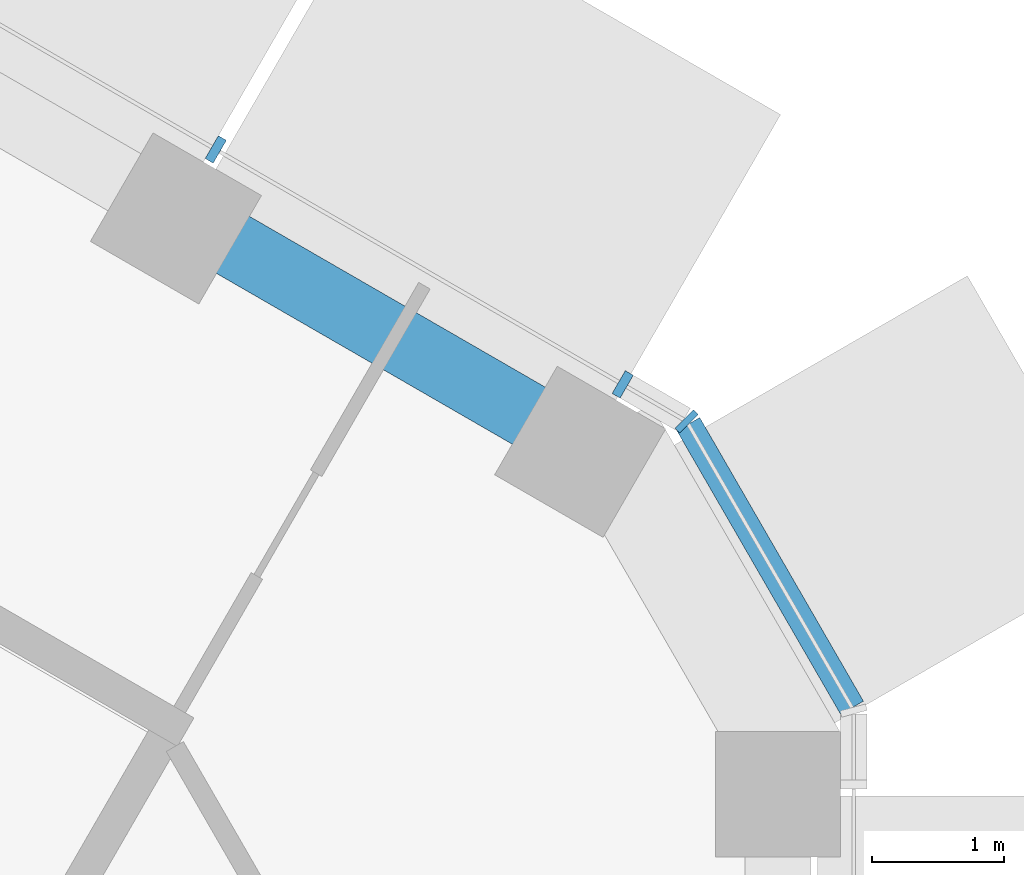
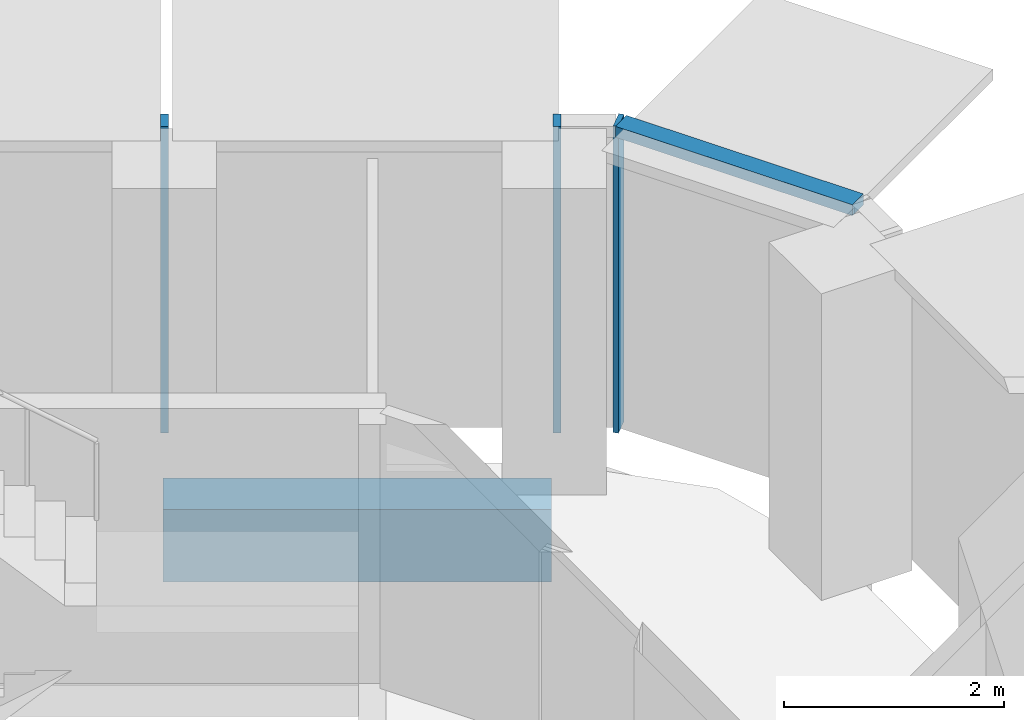
# One storey, part 7 of 18: 4 members, 1 beam, 2 elements without a shape of their own.
"""IFC4 building model written with IfcOpenShell, lengths in metres."""

from ifc_helpers import new_model, si_unit, direction, frame, origin, origin_2d, place, context, subcontext, project, spatial, rectangle, extrude, material, layer, layer_set, material_profile, profile_set, type_object, element, aggregate, save


model = new_model("IFC4")

# Units and contexts
model_context = context("Model", 3, precision=1e-05, world=origin(), true_north=direction((0.0, 1.0)))
body_context = subcontext(model_context, "Body", "Model", "MODEL_VIEW")
ifc_project = project(units=[si_unit("LENGTHUNIT", "METRE"), si_unit("AREAUNIT", "SQUARE_METRE"), si_unit("VOLUMEUNIT", "CUBIC_METRE"), si_unit("PLANEANGLEUNIT", "RADIAN"), si_unit("MASSUNIT", "GRAM", prefix="KILO")], contexts=[model_context])

# Site, building, storey
site_placement = place(None, origin())
site = spatial("IfcSite", under=ifc_project, at=site_placement, CompositionType="ELEMENT")
building_placement = place(site_placement, origin())
building = spatial("IfcBuilding", under=site, at=building_placement, Name="Ayvan Gate Tower", CompositionType="ELEMENT")
storey_placement = place(building_placement, frame((0.0, 0.0, 159.5)))
storey = spatial("IfcBuildingStorey", under=building, at=storey_placement, Name="L42", CompositionType="ELEMENT", Elevation=159.5)

# Beam
ifc_material_1 = material(Name="Concrete C40/50", Category="concrete")
ifc_material_profile_1 = material_profile(ifc_material_1, rectangle(XDim=0.5, YDim=0.800048828125, at=origin_2d()), Name="RC 500x800")
ifc_profile_set_1 = profile_set([ifc_material_profile_1], Name="Concrete C40/50")
beam_type = type_object("IfcBeamType", Name="Spandrel beam RC 500x800 C40/50", PredefinedType="BEAM", material=ifc_profile_set_1)
beam_placement = place(storey_placement, frame((16.6865234375, 11.244140625, -0.75), z_axis=(-0.866039378151, 0.499975794906, 0.0), x_axis=(-0.499975794906, -0.866039378151, 0.0)))
element("IfcBeam", 1, at=beam_placement, inside=storey, type_object=beam_type, Name="SB-L42-7", PredefinedType="BEAM", context=body_context, shape_type="SweptSolid", body=[
    extrude(rectangle(XDim=0.5, YDim=0.800048828125, at=origin_2d()), origin(), (0.0, 0.0, 1.0), 3.531494140625),
])

# Curtain wall, members
ifc_material_2 = material(Name="Bronze anodised aluminium", Category="aluminium")
ifc_layer_1 = layer(ifc_material_2, 0.199951171875)
ifc_layer_set_1 = layer_set([ifc_layer_1], Name="Bronze anodised aluminium")
curtain_wall_type_1 = type_object("IfcCurtainWallType", Name="Stick curtain wall CW-2", PredefinedType="NOTDEFINED", material=ifc_layer_set_1)
curtain_wall_1_placement = place(storey_placement, origin())
curtain_wall_1 = element("IfcCurtainWall", 2, at=curtain_wall_1_placement, inside=storey, type_object=curtain_wall_type_1, Name="Stick curtain wall CW-2 L42", PredefinedType="NOTDEFINED")
ifc_material_profile_2 = material_profile(ifc_material_2, rectangle(XDim=0.199951171875, YDim=0.070068359375, at=origin_2d()), Name="Stick curtain wall CW-2 mullion 200 x 70")
ifc_profile_set_2 = profile_set([ifc_material_profile_2], Name="Bronze anodised aluminium")
member_type_1 = type_object("IfcMemberType", Name="Stick curtain wall CW-2 mullion 200 x 70", PredefinedType="MULLION", material=ifc_profile_set_2)
member_1_placement = place(storey_placement, frame((17.00927734375, 11.70654296875, 0.0), z_axis=(0.0, 0.0, 1.0), x_axis=(0.5, 0.866025403784, 0.0)))
member_1 = element("IfcMember", 3, at=member_1_placement, type_object=member_type_1, Name="CW-2 mullion 1", PredefinedType="MULLION", context=body_context, shape_type="SweptSolid", body=[
    extrude(rectangle(XDim=0.199951171875, YDim=0.070068359375, at=origin_2d()), origin(), (0.0, 0.0, 1.0), 3.39990234375),
])
member_2_placement = place(storey_placement, frame((13.921875, 13.489013671875, 0.0), z_axis=(0.0, 0.0, 1.0), x_axis=(0.5, 0.866025403784, 0.0)))
member_2 = element("IfcMember", 4, at=member_2_placement, type_object=member_type_1, Name="CW-2 mullion 2", PredefinedType="MULLION", context=body_context, shape_type="SweptSolid", body=[
    extrude(rectangle(XDim=0.199951171875, YDim=0.070068359375, at=origin_2d()), origin(), (0.0, 0.0, 1.0), 3.39990234375),
])
aggregate(curtain_wall_1, [member_1, member_2])

ifc_layer_2 = layer(ifc_material_2, 0.199951171875)
ifc_layer_set_2 = layer_set([ifc_layer_2], Name="Bronze anodised aluminium")
curtain_wall_type_2 = type_object("IfcCurtainWallType", Name="Stick curtain wall CW-6", PredefinedType="NOTDEFINED", material=ifc_layer_set_2)
curtain_wall_2_placement = place(storey_placement, origin())
curtain_wall_2 = element("IfcCurtainWall", 5, at=curtain_wall_2_placement, inside=storey, type_object=curtain_wall_type_2, Name="Stick curtain wall CW-6 L42", PredefinedType="NOTDEFINED")
ifc_material_profile_3 = material_profile(ifc_material_2, rectangle(XDim=0.199951171875, YDim=0.050048828125, at=origin_2d()), Name="Stick curtain wall CW-6 mullion 200 x 50")
ifc_profile_set_3 = profile_set([ifc_material_profile_3], Name="Bronze anodised aluminium")
member_type_2 = type_object("IfcMemberType", Name="Stick curtain wall CW-6 mullion 200 x 50", PredefinedType="MULLION", material=ifc_profile_set_3)
member_3_placement = place(storey_placement, frame((17.494140625, 11.426513671875, 0.0), z_axis=(0.0, 0.0, 1.0), x_axis=(0.707106781187, 0.707106781187, 0.0)))
member_3 = element("IfcMember", 6, at=member_3_placement, type_object=member_type_2, Name="CW-6 mullion 3", PredefinedType="MULLION", context=body_context, shape_type="SweptSolid", body=[
    extrude(rectangle(XDim=0.199951171875, YDim=0.050048828125, at=origin_2d()), origin(), (0.0, 0.0, 1.0), 3.39990234375),
])
ifc_material_profile_4 = material_profile(ifc_material_2, rectangle(XDim=0.199951171875, YDim=0.1201171875, at=origin_2d()), Name="Stick curtain wall CW-6 transom 200 x 120")
ifc_profile_set_4 = profile_set([ifc_material_profile_4], Name="Bronze anodised aluminium")
member_type_3 = type_object("IfcMemberType", Name="Stick curtain wall CW-6 transom 200 x 120", PredefinedType="USERDEFINED", material=ifc_profile_set_4)
member_4_placement = place(storey_placement, frame((18.7490234375, 9.253173828125, 3.340087890625), z_axis=(-0.499943602543, 0.866057962423, 0.0), x_axis=(-0.866057962423, -0.499943602543, 0.0)))
member_4 = element("IfcMember", 7, at=member_4_placement, type_object=member_type_3, Name="CW-6 transom 2", ObjectType="TRANSOM", PredefinedType="USERDEFINED", context=body_context, shape_type="SweptSolid", body=[
    extrude(rectangle(XDim=0.199951171875, YDim=0.1201171875, at=origin_2d()), origin(), (0.0, 0.0, 1.0), 2.484619140625),
])
aggregate(curtain_wall_2, [member_3, member_4])

save(model, "model.ifc")
